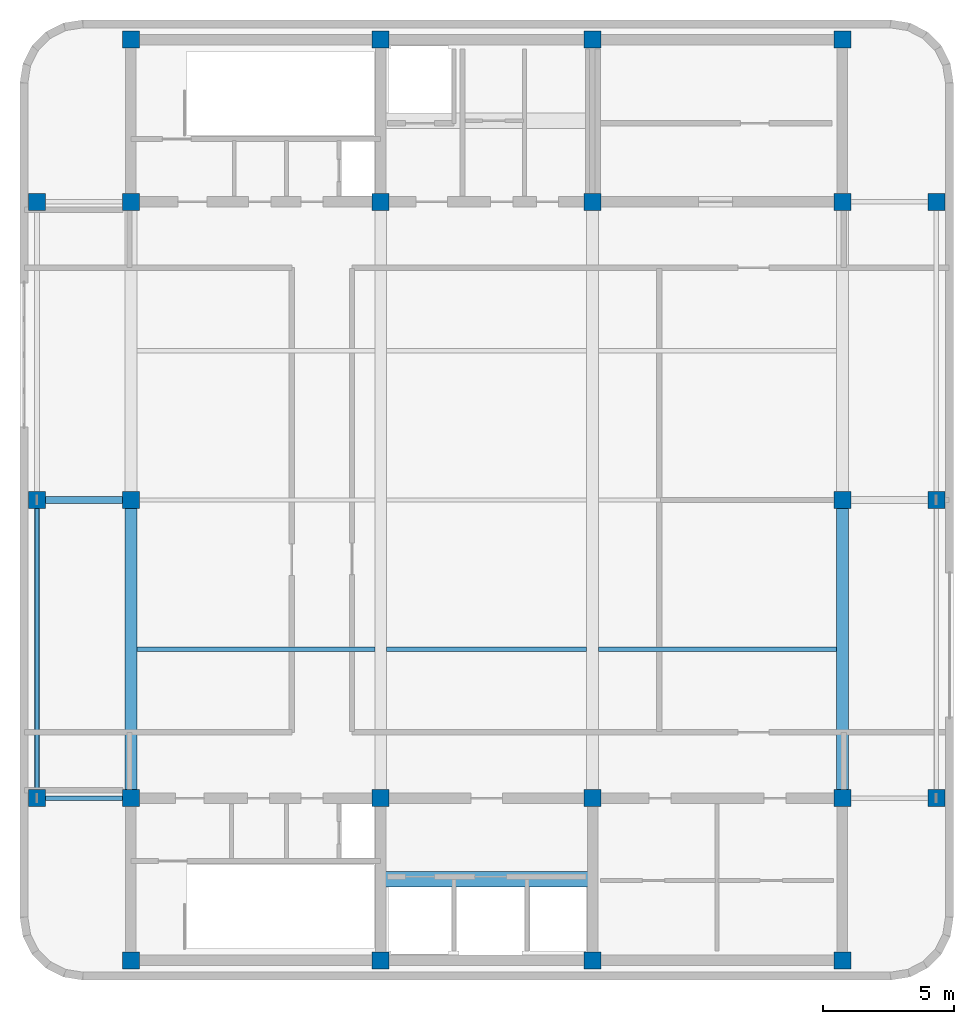
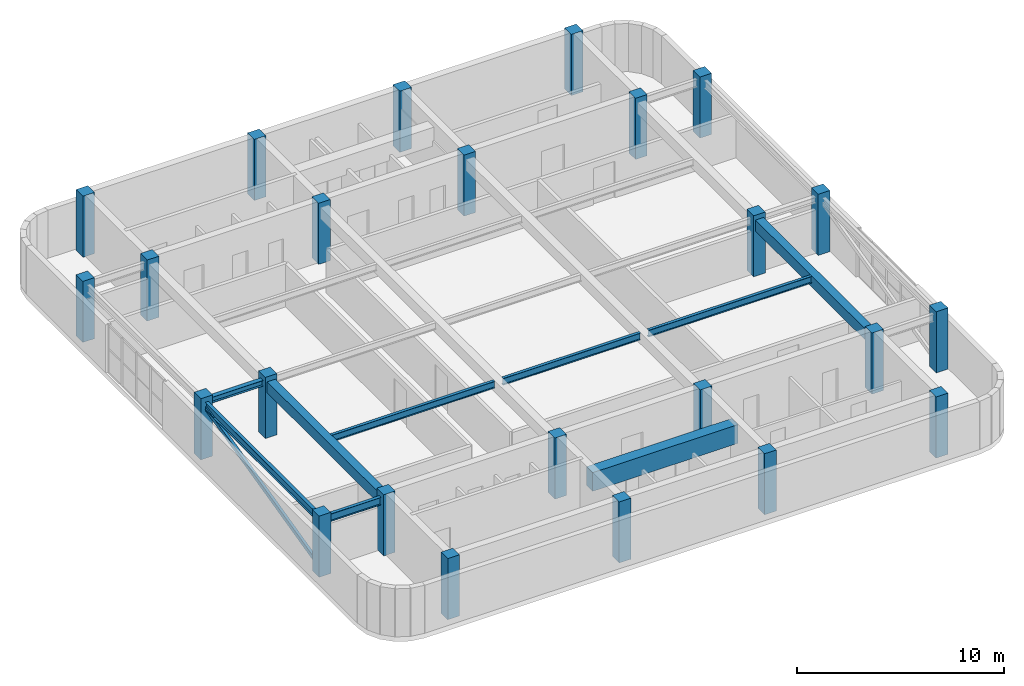
# One storey, part 1 of 9: 24 columns, 9 beams, 1 member.
"""IFC4 building model written with IfcOpenShell, lengths in metres."""

from ifc_helpers import new_model, si_unit, direction, frame, origin, origin_2d, place, context, subcontext, project, spatial, rectangle, hollow_rectangle, i_section, extrude, material, material_profile, profile_set, type_object, element, save


model = new_model("IFC4")

# Units and contexts
model_context = context("Model", 3, precision=1e-05, world=origin(), true_north=direction((0.0, 1.0)))
body_context = subcontext(model_context, "Body", "Model", "MODEL_VIEW")
ifc_project = project(units=[si_unit("LENGTHUNIT", "METRE"), si_unit("AREAUNIT", "SQUARE_METRE"), si_unit("VOLUMEUNIT", "CUBIC_METRE"), si_unit("PLANEANGLEUNIT", "RADIAN"), si_unit("MASSUNIT", "GRAM", prefix="KILO")], contexts=[model_context])

# Site, building, storey
site_placement = place(None, origin())
site = spatial("IfcSite", under=ifc_project, at=site_placement, CompositionType="ELEMENT")
building_placement = place(site_placement, origin())
building = spatial("IfcBuilding", under=site, at=building_placement, Name="Svetorya Sky Lyceum", CompositionType="ELEMENT")
storey_placement = place(building_placement, frame((0.0, 0.0, 320.0)))
storey = spatial("IfcBuildingStorey", under=building, at=storey_placement, Name="C06", CompositionType="ELEMENT", Elevation=320.0)

# Columns
ifc_material_1 = material(Name="Concrete C40/50", Category="concrete")
ifc_material_profile_1 = material_profile(ifc_material_1, rectangle(XDim=0.64990234375, YDim=0.64990234375, at=origin_2d()), Name="RC COL 650x650")
ifc_profile_set_1 = profile_set([ifc_material_profile_1], Name="Concrete C40/50")
column_type = type_object("IfcColumnType", Name="COL-RC-650", PredefinedType="COLUMN", material=ifc_profile_set_1)
for number, where, z_axis, x_axis, name in (
    (1, (25.60009765625, 10.60009765625, 0.0), (0.0, 0.0, 1.0), (1.0, 0.0, 0.0), "C06 Core Column CS-11"),
    (2, (25.60009765625, 16.800048828125, 0.0), (0.0, 0.0, 1.0), (1.0, 0.0, 0.0), "C06 Core Column CS-12"),
    (3, (35.14990234375, 10.60009765625, 0.0), (0.0, 0.0, 1.0), (1.0, 0.0, 0.0), "C06 Core Column CS-21"),
    (4, (35.14990234375, 16.800048828125, 0.0), (0.0, 0.0, 1.0), (1.0, 0.0, 0.0), "C06 Core Column CS-22"),
    (5, (43.25, 10.60009765625, 0.0), (0.0, 0.0, 1.0), (1.0, 0.0, 0.0), "C06 Core Column CS-31"),
    (6, (43.25, 16.800048828125, 0.0), (0.0, 0.0, 1.0), (1.0, 0.0, 0.0), "C06 Core Column CS-32"),
    (7, (52.800048828125, 10.60009765625, 0.0), (0.0, 0.0, 1.0), (1.0, 0.0, 0.0), "C06 Core Column CS-41"),
    (8, (52.800048828125, 16.800048828125, 0.0), (0.0, 0.0, 1.0), (1.0, 0.0, 0.0), "C06 Core Column CS-42"),
    (9, (25.60009765625, 39.60009765625, 0.0), (0.0, 0.0, 1.0), (1.0, 0.0, 0.0), "C06 Core Column CN-11"),
    (10, (25.60009765625, 45.800048828125, 0.0), (0.0, 0.0, 1.0), (1.0, 0.0, 0.0), "C06 Core Column CN-12"),
    (11, (35.14990234375, 39.60009765625, 0.0), (0.0, 0.0, 1.0), (1.0, 0.0, 0.0), "C06 Core Column CN-21"),
    (12, (35.14990234375, 45.800048828125, 0.0), (0.0, 0.0, 1.0), (1.0, 0.0, 0.0), "C06 Core Column CN-22"),
    (13, (43.25, 39.60009765625, 0.0), (0.0, 0.0, 1.0), (1.0, 0.0, 0.0), "C06 Core Column CN-31"),
    (14, (43.25, 45.800048828125, 0.0), (0.0, 0.0, 1.0), (1.0, 0.0, 0.0), "C06 Core Column CN-32"),
    (15, (52.800048828125, 39.60009765625, 0.0), (0.0, 0.0, 1.0), (1.0, 0.0, 0.0), "C06 Core Column CN-41"),
    (16, (52.800048828125, 45.800048828125, 0.0), (0.0, 0.0, 1.0), (1.0, 0.0, 0.0), "C06 Core Column CN-42"),
    (17, (25.60009765625, 28.199951171875, 0.0), (0.0, 0.0, 1.0), (1.0, 0.0, 0.0), "C06 Core Column CM-W"),
    (18, (52.800048828125, 28.199951171875, 0.0), (0.0, 0.0, 1.0), (1.0, 0.0, 0.0), "C06 Core Column CM-E"),
    (19, (22.010009765625, 16.800048828125, 0.0), (0.0, 0.0, 1.0), (1.0, 0.0, 0.0), "C06 Perimeter Column W1"),
    (20, (56.389892578125, 16.800048828125, 0.0), (0.0, 0.0, 1.0), (1.0, 0.0, 0.0), "C06 Perimeter Column E1"),
    (21, (22.010009765625, 28.199951171875, 0.0), (0.0, 0.0, 1.0), (1.0, 0.0, 0.0), "C06 Perimeter Column W2"),
    (22, (56.389892578125, 28.199951171875, 0.0), (0.0, 0.0, 1.0), (1.0, 0.0, 0.0), "C06 Perimeter Column E2"),
    (23, (22.010009765625, 39.60009765625, 0.0), (0.0, 0.0, 1.0), (1.0, 0.0, 0.0), "C06 Perimeter Column W3"),
    (24, (56.389892578125, 39.60009765625, 0.0), (0.0, 0.0, 1.0), (1.0, 0.0, 0.0), "C06 Perimeter Column E3"),
):
    element("IfcColumn", number, at=place(storey_placement, frame(where, z_axis=z_axis, x_axis=x_axis)), inside=storey, type_object=column_type, Name=name, PredefinedType="COLUMN", context=body_context, shape_type="SweptSolid", body=[
        extrude(rectangle(XDim=0.64990234375, YDim=0.64990234375, at=origin_2d()), origin(), (0.0, 0.0, 1.0), 3.60009765625),
    ])

# Beams
ifc_material_2 = material(Name="Concrete C60/75", Category="concrete")
ifc_material_profile_2 = material_profile(ifc_material_2, rectangle(XDim=0.60009765625, YDim=1.10009765625, at=origin_2d()), Name="RC COUPLING 600x1100")
ifc_profile_set_2 = profile_set([ifc_material_profile_2], Name="Concrete C60/75")
beam_type_1 = type_object("IfcBeamType", Name="BM-CPL-1100", PredefinedType="LINTEL", material=ifc_profile_set_2)
beam_1_placement = place(storey_placement, frame((35.14990234375, 13.699951171875, 2.760009765625), z_axis=(1.0, 0.0, 0.0), x_axis=(0.0, 1.0, 0.0)))
element("IfcBeam", 25, at=beam_1_placement, inside=storey, type_object=beam_type_1, Name="C06 SC Core Coupling Beam", PredefinedType="LINTEL", context=body_context, shape_type="SweptSolid", body=[
    extrude(rectangle(XDim=0.60009765625, YDim=1.10009765625, at=origin_2d()), origin(), (0.0, 0.0, 1.0), 8.10009765625),
])
ifc_material_profile_3 = material_profile(ifc_material_1, rectangle(XDim=0.449951171875, YDim=0.64990234375, at=origin_2d()), Name="RC BEAM 450x650")
ifc_profile_set_3 = profile_set([ifc_material_profile_3], Name="Concrete C40/50")
beam_type_2 = type_object("IfcBeamType", Name="BM-RC-650", PredefinedType="BEAM", material=ifc_profile_set_3)
for number, where, z_axis, x_axis, name in (
    (26, (25.60009765625, 16.800048828125, 2.985107421875), (0.0, 1.0, 0.0), (-1.0, 0.0, 0.0), "C06 Central Bay Primary Girder CG-1A"),
    (27, (52.800048828125, 16.800048828125, 2.985107421875), (0.0, 1.0, 0.0), (-1.0, 0.0, 0.0), "C06 Central Bay Primary Girder CG-4A"),
):
    element("IfcBeam", number, at=place(storey_placement, frame(where, z_axis=z_axis, x_axis=x_axis)), inside=storey, type_object=beam_type_2, Name=name, PredefinedType="BEAM", context=body_context, shape_type="SweptSolid", body=[
        extrude(rectangle(XDim=0.449951171875, YDim=0.64990234375, at=origin_2d()), origin(), (0.0, 0.0, 1.0), 11.39990234375),
    ])
ifc_material_3 = material(Name="Steel S355", Category="steel")
ifc_material_profile_4 = material_profile(ifc_material_3, i_section(OverallWidth=0.25, OverallDepth=0.345947265625, WebThickness=0.009521484375, FlangeThickness=0.014404296875, at=origin_2d()), Name="GOST 35Sh2")
ifc_profile_set_4 = profile_set([ifc_material_profile_4], Name="Steel S355")
beam_type_3 = type_object("IfcBeamType", Name="BM-STL-35SH2", PredefinedType="BEAM", material=ifc_profile_set_4)
beam_2_placement = place(storey_placement, frame((22.010009765625, 28.199951171875, 3.136962890625), z_axis=(1.0, 0.0, 0.0), x_axis=(0.0, 1.0, 0.0)))
element("IfcBeam", 28, at=beam_2_placement, inside=storey, type_object=beam_type_3, Name="C06 West Wing Floor Joist W2", PredefinedType="BEAM", context=body_context, shape_type="SweptSolid", body=[
    extrude(i_section(OverallWidth=0.25, OverallDepth=0.345947265625, WebThickness=0.009521484375, FlangeThickness=0.014404296875, at=origin_2d()), origin(), (0.0, 0.0, 1.0), 3.590087890625),
])
ifc_material_profile_5 = material_profile(ifc_material_3, i_section(OverallWidth=0.1650390625, OverallDepth=0.39990234375, WebThickness=0.008056640625, FlangeThickness=0.012939453125, at=origin_2d()), Name="GOST 40B2")
ifc_profile_set_5 = profile_set([ifc_material_profile_5], Name="Steel S355")
beam_type_4 = type_object("IfcBeamType", Name="BM-STL-40B2", PredefinedType="JOIST", material=ifc_profile_set_5)
beam_3_placement = place(storey_placement, frame((25.824951171875, 22.5, 3.110107421875), z_axis=(1.0, 0.0, 0.0), x_axis=(0.0, 1.0, 0.0)))
element("IfcBeam", 29, at=beam_3_placement, inside=storey, type_object=beam_type_4, Name="C06 Central Floor Joist CJ-1.1", PredefinedType="JOIST", context=body_context, shape_type="SweptSolid", body=[
    extrude(i_section(OverallWidth=0.1650390625, OverallDepth=0.39990234375, WebThickness=0.008056640625, FlangeThickness=0.012939453125, at=origin_2d()), origin(), (0.0, 0.0, 1.0), 9.10009765625),
])
beam_4_placement = place(storey_placement, frame((35.375, 22.5, 3.110107421875), z_axis=(1.0, 0.0, 0.0), x_axis=(0.0, 1.0, 0.0)))
element("IfcBeam", 30, at=beam_4_placement, inside=storey, type_object=beam_type_4, Name="C06 Central Floor Joist CJ-1.2", PredefinedType="JOIST", context=body_context, shape_type="SweptSolid", body=[
    extrude(i_section(OverallWidth=0.1650390625, OverallDepth=0.39990234375, WebThickness=0.008056640625, FlangeThickness=0.012939453125, at=origin_2d()), origin(), (0.0, 0.0, 1.0), 7.64990234375),
])
beam_5_placement = place(storey_placement, frame((43.47509765625, 22.5, 3.110107421875), z_axis=(1.0, 0.0, 0.0), x_axis=(0.0, 1.0, 0.0)))
element("IfcBeam", 31, at=beam_5_placement, inside=storey, type_object=beam_type_4, Name="C06 Central Floor Joist CJ-1.3", PredefinedType="JOIST", context=body_context, shape_type="SweptSolid", body=[
    extrude(i_section(OverallWidth=0.1650390625, OverallDepth=0.39990234375, WebThickness=0.008056640625, FlangeThickness=0.012939453125, at=origin_2d()), origin(), (0.0, 0.0, 1.0), 9.099853515625),
])
ifc_material_profile_6 = material_profile(ifc_material_3, i_section(OverallWidth=0.179931640625, OverallDepth=0.449951171875, WebThickness=0.009033203125, FlangeThickness=0.014404296875, at=origin_2d()), Name="GOST 45B2")
ifc_profile_set_6 = profile_set([ifc_material_profile_6], Name="Steel S355")
beam_type_5 = type_object("IfcBeamType", Name="BM-STL-45B2", PredefinedType="SPANDREL", material=ifc_profile_set_6)
beam_6_placement = place(storey_placement, frame((22.010009765625, 16.800048828125, 3.0849609375), z_axis=(1.0, 0.0, 0.0), x_axis=(0.0, 1.0, 0.0)))
element("IfcBeam", 32, at=beam_6_placement, inside=storey, type_object=beam_type_5, Name="C06 Tie Spandrel SW", PredefinedType="SPANDREL", context=body_context, shape_type="SweptSolid", body=[
    extrude(i_section(OverallWidth=0.179931640625, OverallDepth=0.449951171875, WebThickness=0.009033203125, FlangeThickness=0.014404296875, at=origin_2d()), origin(), (0.0, 0.0, 1.0), 3.590087890625),
])
beam_7_placement = place(storey_placement, frame((22.010009765625, 16.800048828125, 3.0849609375), z_axis=(0.0, 1.0, 0.0), x_axis=(-1.0, 0.0, 0.0)))
element("IfcBeam", 33, at=beam_7_placement, inside=storey, type_object=beam_type_5, Name="C06 West Spandrel 1", PredefinedType="SPANDREL", context=body_context, shape_type="SweptSolid", body=[
    extrude(i_section(OverallWidth=0.179931640625, OverallDepth=0.449951171875, WebThickness=0.009033203125, FlangeThickness=0.014404296875, at=origin_2d()), origin(), (0.0, 0.0, 1.0), 11.39990234375),
])

# Member
ifc_material_profile_7 = material_profile(ifc_material_3, hollow_rectangle(XDim=0.14990234375, YDim=0.25, WallThickness=0.010009765625, at=origin_2d()), Name="RHS 250x150x10")
ifc_profile_set_7 = profile_set([ifc_material_profile_7], Name="Steel S355")
member_type = type_object("IfcMemberType", Name="MB-BRC-RHS250", PredefinedType="BRACE", material=ifc_profile_set_7)
member_placement = place(storey_placement, frame((22.010009765625, 16.800048828125, 0.25), z_axis=(0.0, 0.971920395402, 0.235309891421), x_axis=(-1.0, 0.0, 0.0)))
element("IfcMember", 34, at=member_placement, inside=storey, type_object=member_type, Name="C06 Crown Perimeter Frame Brace W", PredefinedType="BRACE", context=body_context, shape_type="SweptSolid", body=[
    extrude(hollow_rectangle(XDim=0.14990234375, YDim=0.25, WallThickness=0.010009765625, at=origin_2d()), origin(), (0.0, 0.0, 1.0), 11.729248046875),
])

save(model, "model.ifc")
